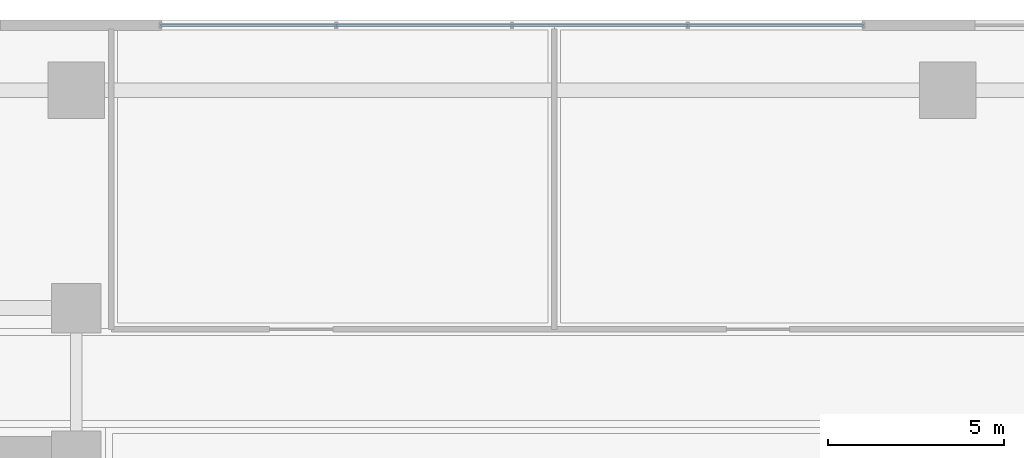
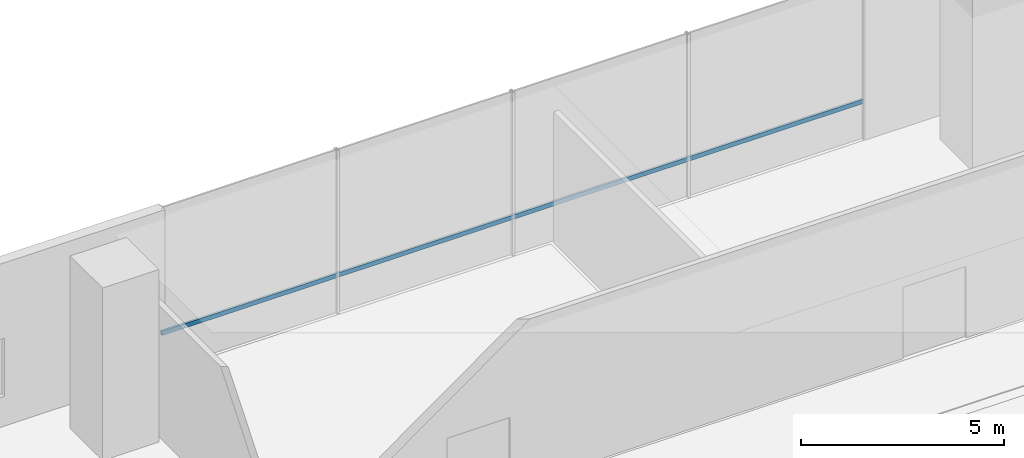
# One storey, part 17 of 39: 1 member, 1 element without a shape of its own.
"""IFC4 building model written with IfcOpenShell, lengths in metres."""

import ifcopenshell
import ifcopenshell.guid

model = None  # the IFC model being written
_history = None  # IfcOwnerHistory: only IFC2X3 demands one
_inside = {}  # id of a spatial element -> (the spatial element, [elements in it])
_under = {}  # id of a project, library or spatial element -> (it, [spatial elements below it])
_declared = {}  # id of a project -> (the project, [libraries it declares])
_typed = {}  # id of a type object -> (the type object, [elements of that type])
_made_of = {}  # id of a material, layer set ... -> (it, [elements and type objects made of it])


def new_model(schema):
    """Start an empty IFC model of exactly this schema.

    Asked for "IFC4X3", IfcOpenShell would pick the latest addendum, in which some entities
    have other attributes; the version numbers below select the first issue.
    IFC2X3 requires an IfcOwnerHistory on every rooted entity: one is made here for all.
    """
    global model, _history
    if schema == "IFC4X3":
        model = ifcopenshell.file(schema_version=(4, 3, 0, 0))
    else:
        model = ifcopenshell.file(schema=schema)
    _inside.clear()
    _under.clear()
    _declared.clear()
    _typed.clear()
    _made_of.clear()
    _history = None
    if model.schema == "IFC2X3":
        org = make("IfcOrganization", Name="unknown")
        user = make(
            "IfcPersonAndOrganization",
            ThePerson=make("IfcPerson", FamilyName="unknown"),
            TheOrganization=org,
        )
        app = make(
            "IfcApplication",
            ApplicationDeveloper=org,
            Version="unknown",
            ApplicationFullName="unknown",
            ApplicationIdentifier="unknown",
        )
        _history = make(
            "IfcOwnerHistory",
            OwningUser=user,
            OwningApplication=app,
            ChangeAction="ADDED",
            CreationDate=0,
        )
    return model


def make(cls, **values):
    """One entity of the class cls with the attributes given. An attribute that is None is left unset."""
    return model.create_entity(
        cls, **{name: value for name, value in values.items() if value is not None}
    )


def rooted(cls, **values):
    """An entity with a GlobalId (a new one), such as an element, a storey or a relation."""
    return make(cls, GlobalId=ifcopenshell.guid.new(), OwnerHistory=_history, **values)


def si_unit(unit_type, name, prefix=None):
    """IfcSIUnit, for example si_unit("LENGTHUNIT", "METRE", prefix="MILLI")."""
    return make("IfcSIUnit", UnitType=unit_type, Prefix=prefix, Name=name)


def assignment(units):
    """IfcUnitAssignment: the units of a project."""
    return None if units is None else make("IfcUnitAssignment", Units=units)


def point(xyz):
    """IfcCartesianPoint."""
    return None if xyz is None else make("IfcCartesianPoint", Coordinates=xyz)


def direction(xyz):
    """IfcDirection."""
    return None if xyz is None else make("IfcDirection", DirectionRatios=xyz)


def frame(location, z_axis=None, x_axis=None):
    """IfcAxis2Placement3D, a coordinate frame: its origin and axes. An axis left out is left unset."""
    return make(
        "IfcAxis2Placement3D",
        Location=point(location),
        Axis=direction(z_axis),
        RefDirection=direction(x_axis),
    )


def frame_2d(location, x_axis=None):
    """IfcAxis2Placement2D, a coordinate frame in the plane: its origin and x axis."""
    return make(
        "IfcAxis2Placement2D", Location=point(location), RefDirection=direction(x_axis)
    )


def origin():
    """The frame at (0, 0, 0) with its axes left unset."""
    return frame((0.0, 0.0, 0.0))


def origin_2d():
    """The frame at (0, 0) in the plane with its x axis left unset."""
    return frame_2d((0.0, 0.0))


def place(relative_to, where):
    """IfcLocalPlacement: puts the frame where relative to a parent placement (None: the world)."""
    return make(
        "IfcLocalPlacement", PlacementRelTo=relative_to, RelativePlacement=where
    )


def context(
    kind, dimensions, precision=None, world=None, true_north=None, identifier=None
):
    """IfcGeometricRepresentationContext, for example the 3D "Model" context."""
    return make(
        "IfcGeometricRepresentationContext",
        ContextIdentifier=identifier,
        ContextType=kind,
        CoordinateSpaceDimension=dimensions,
        Precision=precision,
        WorldCoordinateSystem=world,
        TrueNorth=true_north,
    )


def subcontext(parent, identifier, kind, view, scale=None):
    """IfcGeometricRepresentationSubContext, for example "Body" below "Model"."""
    return make(
        "IfcGeometricRepresentationSubContext",
        ContextIdentifier=identifier,
        ContextType=kind,
        ParentContext=parent,
        TargetScale=scale,
        TargetView=view,
    )


def project(units=None, contexts=None):
    """IfcProject with its units and contexts."""
    return rooted(
        "IfcProject",
        Name="project",
        RepresentationContexts=contexts,
        UnitsInContext=assignment(units),
    )


def spatial(cls, under=None, at=None, **own):
    """A site, building, storey or space (cls), placed at a placement, below another one or the project."""
    s = rooted(cls, ObjectPlacement=at, **own)
    if under is not None:
        _under.setdefault(under.id(), (under, []))[1].append(s)
    return s


def profile(cls, at=None, kind="AREA", **sizes):
    """A parametric profile (cls). Its sizes go by their IFC names, for example OverallWidth=200.0."""
    return make(cls, ProfileType=kind, Position=at, **sizes)


def hollow_rectangle(**sizes):
    """IfcRectangleHollowProfileDef."""
    return profile("IfcRectangleHollowProfileDef", **sizes)


def extrude(swept, where, along, depth):
    """IfcExtrudedAreaSolid: the profile swept, set in the frame where, extruded along a direction by depth."""
    return make(
        "IfcExtrudedAreaSolid",
        SweptArea=swept,
        Position=where,
        ExtrudedDirection=direction(along),
        Depth=depth,
    )


def shape(context_of_items, identifier, shape_type, items):
    """IfcShapeRepresentation: the items that make up one representation, for example the "Body"."""
    return make(
        "IfcShapeRepresentation",
        ContextOfItems=context_of_items,
        RepresentationIdentifier=identifier,
        RepresentationType=shape_type,
        Items=items,
    )


def source(mapping_origin, context_of_items, identifier, shape_type, items):
    """IfcRepresentationMap: a shape defined once, which mapped items show again and again."""
    return make(
        "IfcRepresentationMap",
        MappingOrigin=mapping_origin,
        MappedRepresentation=shape(context_of_items, identifier, shape_type, items),
    )


def transform(
    local_origin,
    x_axis=None,
    y_axis=None,
    z_axis=None,
    scale=None,
    scale2=None,
    scale3=None,
    uniform=True,
):
    """IfcCartesianTransformationOperator3D, or its non-uniform kind. x_axis, y_axis, z_axis: its Axis1, 2, 3."""
    if uniform:
        return make(
            "IfcCartesianTransformationOperator3D",
            Axis1=direction(x_axis),
            Axis2=direction(y_axis),
            LocalOrigin=point(local_origin),
            Scale=scale,
            Axis3=direction(z_axis),
        )
    return make(
        "IfcCartesianTransformationOperator3DnonUniform",
        Axis1=direction(x_axis),
        Axis2=direction(y_axis),
        LocalOrigin=point(local_origin),
        Scale=scale,
        Axis3=direction(z_axis),
        Scale2=scale2,
        Scale3=scale3,
    )


def mapped(mapping_source, mapping_target):
    """IfcMappedItem: shows the shape of a source again, moved by a transform."""
    return make(
        "IfcMappedItem", MappingSource=mapping_source, MappingTarget=mapping_target
    )


def material(Name=None, Category=None):
    """IfcMaterial."""
    return make("IfcMaterial", Name=Name, Category=Category)


def material_profile(
    of_material, cross_section, Name=None, Category=None, Priority=None
):
    """IfcMaterialProfile: a cross section and its material."""
    return make(
        "IfcMaterialProfile",
        Name=Name,
        Material=of_material,
        Profile=cross_section,
        Priority=Priority,
        Category=Category,
    )


def profile_set(profiles, Name=None, composite=None):
    """IfcMaterialProfileSet."""
    return make(
        "IfcMaterialProfileSet",
        Name=Name,
        MaterialProfiles=profiles,
        CompositeProfile=composite,
    )


def made_of(thing, what):
    """Note that an element or type object is made of a material, layer set ...; save() writes the relation."""
    if what is not None:
        _made_of.setdefault(what.id(), (what, []))[1].append(thing)
    return thing


def type_object(cls, material=None, **own):
    """A type object (cls), such as IfcWallType, which elements share."""
    return made_of(rooted(cls, **own), material)


def element(
    cls,
    number,
    at=None,
    inside=None,
    cuts=None,
    type_object=None,
    material=None,
    context=None,
    identifier="Body",
    shape_type=None,
    held_by="IfcProductDefinitionShape",
    body=None,
    shapes=None,
    **own,
):
    """One element of the class cls, such as IfcWall. Its Tag is "e" and its number.

    at: its placement. inside: the storey or other place that contains it. cuts: it is an
    opening in that element (IfcRelVoidsElement). A single representation is given by context,
    identifier, shape_type and body (its items); several are given by shapes. held_by: the class
    of the entity that holds the representations. save() writes the other relations.
    """
    e = rooted(cls, Tag="e%d" % number, ObjectPlacement=at, **own)
    if body is not None:
        shapes = [shape(context, identifier, shape_type, body)]
    if shapes is not None:
        e.Representation = make(held_by, Representations=shapes)
    if inside is not None:
        _inside.setdefault(inside.id(), (inside, []))[1].append(e)
    if cuts is not None:
        rooted(
            "IfcRelVoidsElement", RelatingBuildingElement=cuts, RelatedOpeningElement=e
        )
    if type_object is not None:
        _typed.setdefault(type_object.id(), (type_object, []))[1].append(e)
    return made_of(e, material)


def aggregate(whole, parts):
    """IfcRelAggregates: a whole, such as a stair, and the parts it consists of."""
    return rooted("IfcRelAggregates", RelatingObject=whole, RelatedObjects=parts)


def save(model, path):
    """Write the relations noted so far, then the file.

    IfcRelAggregates (storeys below a building ...), IfcRelContainedInSpatialStructure (elements
    in a storey), IfcRelDefinesByType, IfcRelAssociatesMaterial and IfcRelDeclares: one each for
    every whole, place, type object, material and project.
    """
    for whole, parts in _under.values():
        aggregate(whole, parts)
    for where, things in _inside.values():
        rooted(
            "IfcRelContainedInSpatialStructure",
            RelatedElements=things,
            RelatingStructure=where,
        )
    for kind, things in _typed.values():
        rooted("IfcRelDefinesByType", RelatedObjects=things, RelatingType=kind)
    for what, things in _made_of.values():
        rooted("IfcRelAssociatesMaterial", RelatedObjects=things, RelatingMaterial=what)
    for by, libraries in _declared.values():
        rooted("IfcRelDeclares", RelatingContext=by, RelatedDefinitions=libraries)
    model.write(path)


model = new_model("IFC4")

# Units and contexts
model_context = context("Model", 3, precision=1e-05, world=origin(), true_north=direction((0.0, 1.0)))
body_context = subcontext(model_context, "Body", "Model", "MODEL_VIEW")
ifc_project = project(units=[si_unit("LENGTHUNIT", "METRE"), si_unit("AREAUNIT", "SQUARE_METRE"), si_unit("VOLUMEUNIT", "CUBIC_METRE"), si_unit("PLANEANGLEUNIT", "RADIAN"), si_unit("MASSUNIT", "GRAM", prefix="KILO")], contexts=[model_context])

# Site, building, storey
site_placement = place(None, origin())
site = spatial("IfcSite", under=ifc_project, at=site_placement, CompositionType="ELEMENT")
building_placement = place(site_placement, origin())
building = spatial("IfcBuilding", under=site, at=building_placement, Name="Valdorenza Pilgrim Sanctuary Tower", CompositionType="ELEMENT")
storey_placement = place(building_placement, frame((0.0, 0.0, 5.199951171875)))
storey = spatial("IfcBuildingStorey", under=building, at=storey_placement, Name="L01", CompositionType="ELEMENT", Elevation=5.199951171875)

# Curtain wall, member
ifc_material_1 = material(Name="Curtain-wall IGU glazing", Category="glass")
curtain_wall_type = type_object("IfcCurtainWallType", Name="CW-SYS-01", PredefinedType="NOTDEFINED", material=ifc_material_1)
curtain_wall_placement = place(storey_placement, origin())
curtain_wall = element("IfcCurtainWall", 1, at=curtain_wall_placement, inside=storey, type_object=curtain_wall_type, Name="L01 Curtain Wall CW-POD-L01-NN", PredefinedType="NOTDEFINED")
ifc_material_2 = material(Name="Anodised aluminium AW-6060", Category="aluminium")
ifc_material_profile = material_profile(ifc_material_2, hollow_rectangle(XDim=0.06494140625, YDim=0.1298828125, WallThickness=0.00341796875, at=origin_2d()), Name="ALU-T 130x65x3.5")
ifc_profile_set = profile_set([ifc_material_profile], Name="Anodised aluminium AW-6060")
member_type = type_object("IfcMemberType", Name="CW-TRN-01", PredefinedType="USERDEFINED", material=ifc_profile_set)
shared_shape = source(origin(), body_context, "Body", "SweptSolid", [
    extrude(hollow_rectangle(XDim=0.06494140625, YDim=0.1298828125, WallThickness=0.00341796875, at=origin_2d()), origin(), (0.0, 0.0, 1.0), 20.0),
])
member_placement = place(storey_placement, frame((-10.0, 22.85009765625, 1.1201171875), z_axis=(1.0, 0.0, 0.0), x_axis=(0.0, 1.0, 0.0)))
member = element("IfcMember", 2, at=member_placement, type_object=member_type, Name="CW-POD-L01-NN Transom 1", ObjectType="TRANSOM", PredefinedType="USERDEFINED", context=body_context, shape_type="MappedRepresentation", body=[
    mapped(shared_shape, transform((0.0, 0.0, 0.0), x_axis=(1.0, 0.0, 0.0), y_axis=(0.0, 1.0, 0.0), z_axis=(0.0, 0.0, 1.0), scale=1.0)),
])
aggregate(curtain_wall, [member])

save(model, "model.ifc")
